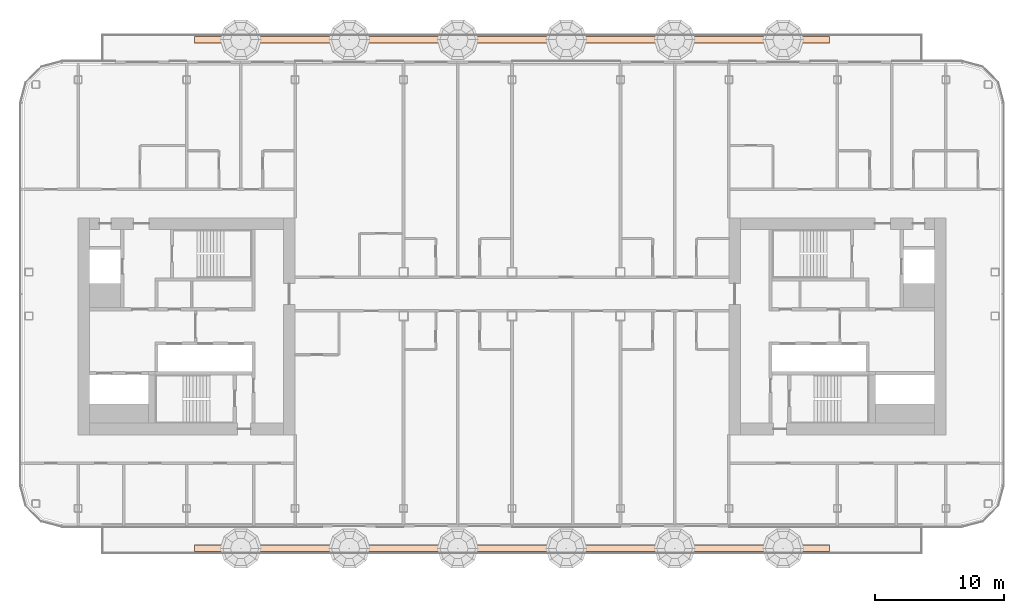
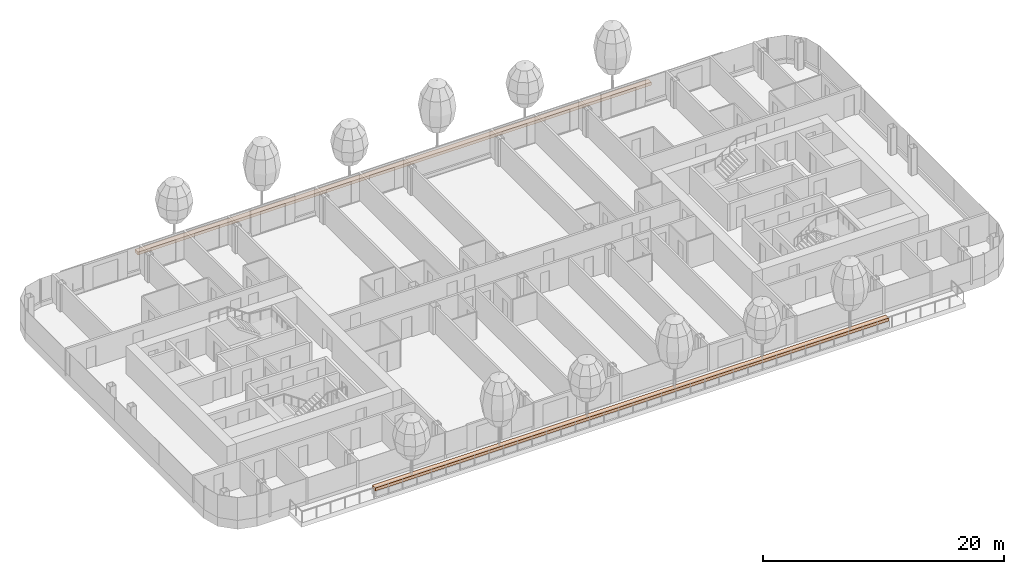
# One storey, part 26 of 28: 2 geographic elements.
"""IFC4 building model written with IfcOpenShell, lengths in metres."""

from ifc_helpers import new_model, si_unit, direction, frame, origin, origin_2d, place, context, subcontext, project, spatial, rectangle, extrude, material, type_object, element, save


model = new_model("IFC4")

# Units and contexts
model_context = context("Model", 3, precision=1e-05, world=origin(), true_north=direction((0.0, 1.0)))
body_context = subcontext(model_context, "Body", "Model", "MODEL_VIEW")
ifc_project = project(units=[si_unit("LENGTHUNIT", "METRE"), si_unit("AREAUNIT", "SQUARE_METRE"), si_unit("VOLUMEUNIT", "CUBIC_METRE"), si_unit("PLANEANGLEUNIT", "RADIAN"), si_unit("MASSUNIT", "GRAM", prefix="KILO")], contexts=[model_context])

# Site, building, storey
site_placement = place(None, origin())
site = spatial("IfcSite", under=ifc_project, at=site_placement, CompositionType="ELEMENT")
building_placement = place(site_placement, origin())
building = spatial("IfcBuilding", under=site, at=building_placement, Name="Hakoniwa Tower and Hamabe Station Hall", CompositionType="ELEMENT")
storey_placement = place(building_placement, frame((0.0, 0.0, 193.0)))
storey = spatial("IfcBuildingStorey", under=building, at=storey_placement, Name="L54", CompositionType="ELEMENT", Elevation=193.0)

# Geographic elements
ifc_material = material(Name="Shrub planting")
geographic_element_type = type_object("IfcGeographicElementType", Name="Shrub planting bed 500x300", PredefinedType="USERDEFINED", material=ifc_material)
for number, where, z_axis, x_axis, name in (
    (1, (0.0, 22.199951171875, 0.60009765625), (0.0, 0.0, 1.0), (1.0, 0.0, 0.0), "Shrub planting bed 500x300"),
    (2, (0.0, -17.199951171875, 0.60009765625), (0.0, 0.0, 1.0), (1.0, 0.0, 0.0), "Shrub planting bed 500x300"),
):
    element("IfcGeographicElement", number, at=place(storey_placement, frame(where, z_axis=z_axis, x_axis=x_axis)), inside=storey, type_object=geographic_element_type, Name=name, ObjectType="PLANTING", PredefinedType="USERDEFINED", context=body_context, shape_type="SweptSolid", body=[
        extrude(rectangle(XDim=49.199951171875, YDim=0.5, at=origin_2d()), origin(), (0.0, 0.0, 1.0), 0.300048828125),
    ])

save(model, "model.ifc")
